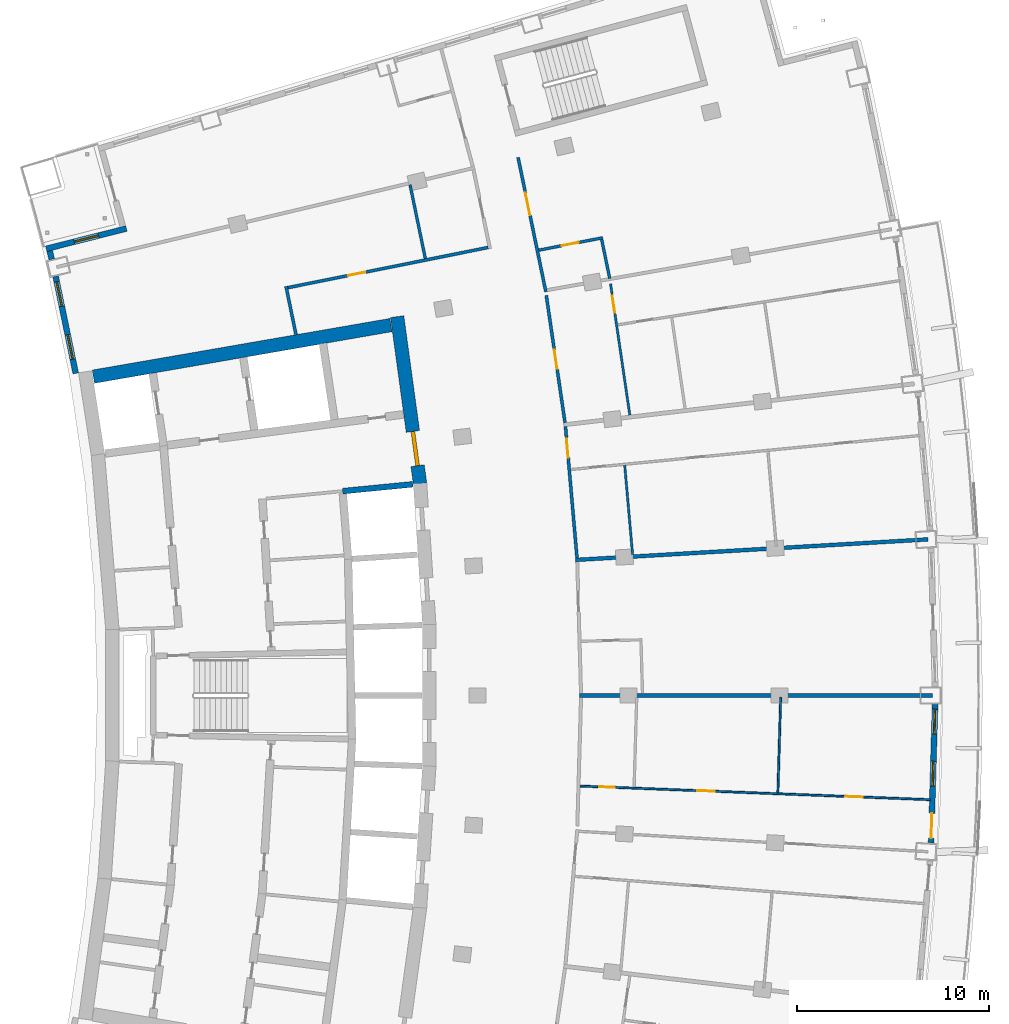
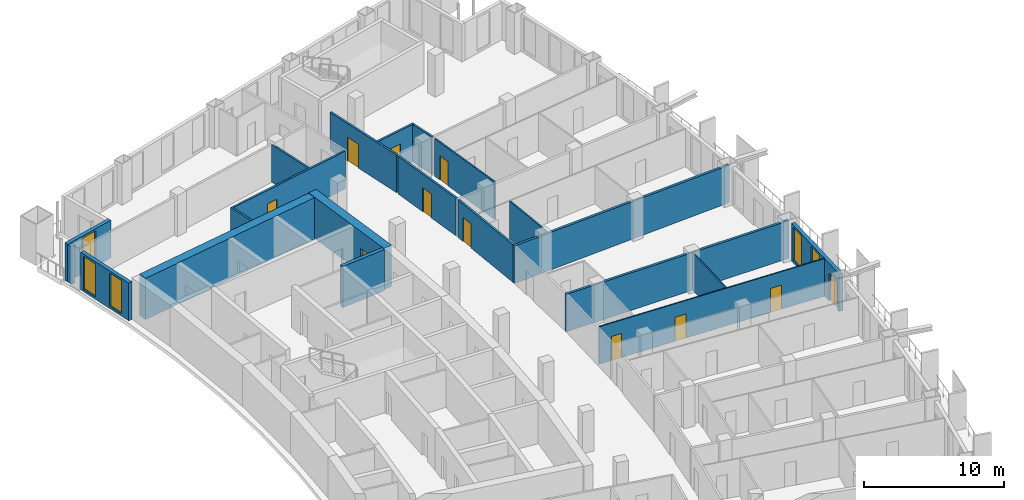
# One storey, part 14 of 20: 21 walls, 11 doors, 5 windows, 16 openings.
"""IFC4 building model written with IfcOpenShell, lengths in metres."""

from ifc_helpers import new_model, si_unit, direction, frame, frame_2d, origin, place, context, subcontext, project, spatial, rectangle, extrude, material, layer, layer_set, type_object, element, fill, save


model = new_model("IFC4")

# Units and contexts
model_context = context("Model", 3, precision=1e-05, world=origin(), true_north=direction((0.0, 1.0)))
body_context = subcontext(model_context, "Body", "Model", "MODEL_VIEW")
ifc_project = project(units=[si_unit("LENGTHUNIT", "METRE"), si_unit("AREAUNIT", "SQUARE_METRE"), si_unit("VOLUMEUNIT", "CUBIC_METRE"), si_unit("PLANEANGLEUNIT", "RADIAN"), si_unit("MASSUNIT", "GRAM", prefix="KILO")], contexts=[model_context])

# Site, building, storey
site_placement = place(None, origin())
site = spatial("IfcSite", under=ifc_project, at=site_placement, CompositionType="ELEMENT")
building_placement = place(site_placement, origin())
building = spatial("IfcBuilding", under=site, at=building_placement, Name="Alderwake Tower", CompositionType="ELEMENT")
storey_placement = place(building_placement, frame((0.0, 0.0, 164.0)))
storey = spatial("IfcBuildingStorey", under=building, at=storey_placement, Name="L40", CompositionType="ELEMENT", Elevation=164.0)

# Wall, opening, door
ifc_material_1 = material(Name="Concrete C70/85", Category="concrete")
ifc_layer_1 = layer(ifc_material_1, 0.699951171875)
ifc_layer_set_1 = layer_set([ifc_layer_1], Name="Core wall outer 700 C70-85")
wall_type_1 = type_object("IfcWallType", Name="Core wall outer 700 C70-85", PredefinedType="SHEAR", material=ifc_layer_set_1)
wall_1_placement = place(storey_placement, frame((31.618896484375, 80.735107421875, 0.0), z_axis=(0.0, 0.0, 1.0), x_axis=(0.135835706655, -0.99073137671, 0.0)))
wall_1 = element("IfcWall", 1, at=wall_1_placement, inside=storey, type_object=wall_type_1, Name="Core wall CW.009", PredefinedType="SHEAR", context=body_context, shape_type="SweptSolid", body=[
    extrude(rectangle(XDim=8.790771484375, YDim=0.699951171875, at=frame_2d((4.3955078125, 0.0))), origin(), (0.0, 0.0, 1.0), 3.60009765625),
])
opening_1_placement = place(wall_1_placement, frame((6.035888671875, 0.0, 0.0)))
opening_1 = element("IfcOpeningElement", 2, at=opening_1_placement, cuts=wall_1, Name="Opening C001", PredefinedType="OPENING", context=body_context, shape_type="SweptSolid", body=[
    extrude(rectangle(XDim=1.800048828125, YDim=2.10009765625, at=frame_2d((0.89990234375, 1.050048828125))), frame((0.0, 0.35986328125, 0.0), z_axis=(0.0, -1.0, 0.0), x_axis=(1.0, 0.0, 0.0)), (0.0, 0.0, 1.0), 0.719970703125),
])
ifc_material_2 = material(Name="Steel-framed fire door leaves", Category="steel")
door_type_1 = type_object("IfcDoorType", Name="Core double door 1800 fire-rated", OperationType="DOUBLE_DOOR_SINGLE_SWING", PredefinedType="DOOR", material=ifc_material_2)
door_1_placement = place(opening_1_placement, origin())
door_1 = element("IfcDoor", 3, at=door_1_placement, inside=storey, type_object=door_type_1, Name="Lobby double door", OperationType="DOUBLE_DOOR_SINGLE_SWING", OverallHeight=2.10009765625, OverallWidth=1.800048828125, PredefinedType="DOOR", context=body_context, shape_type="SweptSolid", body=[
    extrude(rectangle(XDim=1.800048828125, YDim=2.10009765625, at=frame_2d((0.89990234375, 1.050048828125))), frame((0.0, 0.10009765625, 0.0), z_axis=(0.0, -1.0, 0.0), x_axis=(1.0, 0.0, 0.0)), (0.0, 0.0, 1.0), 0.199951171875),
])
fill(opening_1, door_1)

# Walls
wall_2_placement = place(storey_placement, frame((15.79443359375, 77.606689453125, 0.0), z_axis=(0.0, 0.0, 1.0), x_axis=(0.985301369349, 0.170825090542, 0.0)))
element("IfcWall", 4, at=wall_2_placement, inside=storey, type_object=wall_type_1, Name="Core wall CW.055", PredefinedType="SHEAR", context=body_context, shape_type="SweptSolid", body=[
    extrude(rectangle(XDim=15.732421875, YDim=0.699951171875, at=frame_2d((7.8662109375, 0.0))), origin(), (0.0, 0.0, 1.0), 3.60009765625),
])
ifc_material_3 = material(Name="Concrete C70/85", Category="concrete")
ifc_layer_2 = layer(ifc_material_3, 0.300048828125)
ifc_layer_set_2 = layer_set([ifc_layer_2], Name="Core wall shaft 300 C70-85")
wall_type_2 = type_object("IfcWallType", Name="Core wall shaft 300 C70-85", PredefinedType="SHEAR", material=ifc_layer_set_2)
wall_3_placement = place(storey_placement, frame((28.780517578125, 71.644287109375, 0.0), z_axis=(0.0, 0.0, 1.0), x_axis=(0.995245736737, 0.097395705788, 0.0)))
element("IfcWall", 5, at=wall_3_placement, inside=storey, type_object=wall_type_2, Name="Core wall CW.049", PredefinedType="SHEAR", context=body_context, shape_type="SweptSolid", body=[
    extrude(rectangle(XDim=3.669677734375, YDim=0.300048828125, at=frame_2d((1.8349609375, 0.0))), origin(), (0.0, 0.0, 1.0), 3.60009765625),
])
ifc_material_4 = material(Name="Gypsum board on metal studs, rated")
ifc_layer_3 = layer(ifc_material_4, 0.159912109375)
ifc_layer_set_3 = layer_set([ifc_layer_3], Name="Corridor wall 160")
wall_type_3 = type_object("IfcWallType", Name="Corridor wall 160", PredefinedType="PARTITIONING", material=ifc_layer_set_3)
wall_4_placement = place(storey_placement, frame((25.831787109375, 82.305419921875, 0.0), z_axis=(0.0, 0.0, 1.0), x_axis=(0.202450797205, -0.979292435747, 0.0)))
element("IfcWall", 6, at=wall_4_placement, inside=storey, type_object=wall_type_3, Name="WL/L40/W14", PredefinedType="PARTITIONING", context=body_context, shape_type="SweptSolid", body=[
    extrude(rectangle(XDim=2.555419921875, YDim=0.159912109375, at=frame_2d((1.27783203125, 0.0))), origin(), (0.0, 0.0, 1.0), 3.280029296875),
])

# Wall, opening, door
wall_5_placement = place(storey_placement, frame((25.926513671875, 82.24267578125, 0.0), z_axis=(0.0, 0.0, 1.0), x_axis=(0.98046310274, 0.196703086316, 0.0)))
wall_5 = element("IfcWall", 7, at=wall_5_placement, inside=storey, type_object=wall_type_3, Name="WL/L40/W19", PredefinedType="PARTITIONING", context=body_context, shape_type="SweptSolid", body=[
    extrude(rectangle(XDim=10.637939453125, YDim=0.159912109375, at=frame_2d((5.31884765625, 0.0))), origin(), (0.0, 0.0, 1.0), 3.280029296875),
])
opening_2_placement = place(wall_5_placement, frame((3.208984375, 0.0, 0.0)))
opening_2 = element("IfcOpeningElement", 8, at=opening_2_placement, cuts=wall_5, Name="Opening R11-SBN1", PredefinedType="OPENING", context=body_context, shape_type="SweptSolid", body=[
    extrude(rectangle(XDim=0.89990234375, YDim=2.10009765625, at=frame_2d((0.449951171875, 1.050048828125))), frame((0.0, 0.08984375, 0.0), z_axis=(0.0, -1.0, 0.0), x_axis=(1.0, 0.0, 0.0)), (0.0, 0.0, 1.0), 0.179931640625),
])
ifc_material_5 = material(Name="Painted timber leaf", Category="wood")
door_type_2 = type_object("IfcDoorType", Name="Room door 900", OperationType="SINGLE_SWING_LEFT", PredefinedType="DOOR", material=ifc_material_5)
door_2_placement = place(opening_2_placement, origin())
door_2 = element("IfcDoor", 9, at=door_2_placement, inside=storey, type_object=door_type_2, Name="DR/L40/SBN1", OperationType="SINGLE_SWING_LEFT", OverallHeight=2.10009765625, OverallWidth=0.89990234375, PredefinedType="DOOR", context=body_context, shape_type="SweptSolid", body=[
    extrude(rectangle(XDim=0.89990234375, YDim=2.10009765625, at=frame_2d((0.449951171875, 1.050048828125))), frame((0.0, 0.02490234375, 0.0), z_axis=(0.0, -1.0, 0.0), x_axis=(1.0, 0.0, 0.0)), (0.0, 0.0, 1.0), 0.050048828125),
])
fill(opening_2, door_2)

wall_6_placement = place(storey_placement, frame((37.9169921875, 89.02490234375, 0.0), z_axis=(0.0, 0.0, 1.0), x_axis=(0.202409142021, -0.979301046271, 0.0)))
wall_6 = element("IfcWall", 10, at=wall_6_placement, inside=storey, type_object=wall_type_3, Name="WL/L40/W22", PredefinedType="PARTITIONING", context=body_context, shape_type="SweptSolid", body=[
    extrude(rectangle(XDim=7.150146484375, YDim=0.159912109375, at=frame_2d((3.5751953125, 0.0))), origin(), (0.0, 0.0, 1.0), 3.280029296875),
])
opening_3_placement = place(wall_6_placement, frame((1.874755859375, 0.0, 0.0)))
opening_3 = element("IfcOpeningElement", 11, at=opening_3_placement, cuts=wall_6, Name="Opening R11-AM1.1", PredefinedType="OPENING", context=body_context, shape_type="SweptSolid", body=[
    extrude(rectangle(XDim=1.199951171875, YDim=2.10009765625, at=frame_2d((0.60009765625, 1.050048828125))), frame((0.0, 0.08984375, 0.0), z_axis=(0.0, -1.0, 0.0), x_axis=(1.0, 0.0, 0.0)), (0.0, 0.0, 1.0), 0.179931640625),
])
ifc_material_6 = material(Name="Steel-framed fire door leaf", Category="steel")
door_type_3 = type_object("IfcDoorType", Name="Lobby door 1200 fire-rated", OperationType="SINGLE_SWING_LEFT", PredefinedType="DOOR", material=ifc_material_6)
door_3_placement = place(opening_3_placement, origin())
door_3 = element("IfcDoor", 12, at=door_3_placement, inside=storey, type_object=door_type_3, Name="DR/L40/AM1.1", OperationType="SINGLE_SWING_LEFT", OverallHeight=2.10009765625, OverallWidth=1.199951171875, PredefinedType="DOOR", context=body_context, shape_type="SweptSolid", body=[
    extrude(rectangle(XDim=1.199951171875, YDim=2.10009765625, at=frame_2d((0.60009765625, 1.050048828125))), frame((0.0, 0.02490234375, 0.0), z_axis=(0.0, -1.0, 0.0), x_axis=(1.0, 0.0, 0.0)), (0.0, 0.0, 1.0), 0.050048828125),
])
fill(opening_3, door_3)

wall_7_placement = place(storey_placement, frame((39.38671875, 81.837158203125, 0.0), z_axis=(0.0, 0.0, 1.0), x_axis=(0.145576845789, -0.989346947218, 0.0)))
wall_7 = element("IfcWall", 13, at=wall_7_placement, inside=storey, type_object=wall_type_3, Name="WL/L40/W24", PredefinedType="PARTITIONING", context=body_context, shape_type="SweptSolid", body=[
    extrude(rectangle(XDim=6.701416015625, YDim=0.159912109375, at=frame_2d((3.3505859375, 0.0))), origin(), (0.0, 0.0, 1.0), 3.280029296875),
])
opening_4_placement = place(wall_7_placement, frame((2.850830078125, 0.0, 0.0)))
opening_4 = element("IfcOpeningElement", 14, at=opening_4_placement, cuts=wall_7, Name="Opening R11-U08.2", PredefinedType="OPENING", context=body_context, shape_type="SweptSolid", body=[
    extrude(rectangle(XDim=1.0, YDim=2.10009765625, at=frame_2d((0.5, 1.050048828125))), frame((0.0, 0.08984375, 0.0), z_axis=(0.0, -1.0, 0.0), x_axis=(1.0, 0.0, 0.0)), (0.0, 0.0, 1.0), 0.179931640625),
])
ifc_material_7 = material(Name="Solid timber leaf in steel frame", Category="steel")
door_type_4 = type_object("IfcDoorType", Name="Flat entrance door 1000 fire-rated", OperationType="SINGLE_SWING_LEFT", PredefinedType="DOOR", material=ifc_material_7)
door_4_placement = place(opening_4_placement, origin())
door_4 = element("IfcDoor", 15, at=door_4_placement, inside=storey, type_object=door_type_4, Name="DR/L40/U08.2", OperationType="SINGLE_SWING_LEFT", OverallHeight=2.10009765625, OverallWidth=1.0, PredefinedType="DOOR", context=body_context, shape_type="SweptSolid", body=[
    extrude(rectangle(XDim=1.0, YDim=2.10009765625, at=frame_2d((0.5, 1.050048828125))), frame((0.0, 0.02490234375, 0.0), z_axis=(0.0, -1.0, 0.0), x_axis=(1.0, 0.0, 0.0)), (0.0, 0.0, 1.0), 0.050048828125),
])
fill(opening_4, door_4)

wall_8_placement = place(storey_placement, frame((40.3857421875, 75.00830078125, 0.0), z_axis=(0.0, 0.0, 1.0), x_axis=(0.087448731147, -0.996169021512, 0.0)))
wall_8 = element("IfcWall", 16, at=wall_8_placement, inside=storey, type_object=wall_type_3, Name="WL/L40/W26", PredefinedType="PARTITIONING", context=body_context, shape_type="SweptSolid", body=[
    extrude(rectangle(XDim=6.867919921875, YDim=0.159912109375, at=frame_2d((3.43408203125, 0.0))), origin(), (0.0, 0.0, 1.0), 3.280029296875),
])
opening_5_placement = place(wall_8_placement, frame((0.628173828125, 0.0, 0.0)))
opening_5 = element("IfcOpeningElement", 17, at=opening_5_placement, cuts=wall_8, Name="Opening R11-U07.2", PredefinedType="OPENING", context=body_context, shape_type="SweptSolid", body=[
    extrude(rectangle(XDim=1.0, YDim=2.10009765625, at=frame_2d((0.5, 1.050048828125))), frame((0.0, 0.08984375, 0.0), z_axis=(0.0, -1.0, 0.0), x_axis=(1.0, 0.0, 0.0)), (0.0, 0.0, 1.0), 0.179931640625),
])
door_5_placement = place(opening_5_placement, origin())
door_5 = element("IfcDoor", 18, at=door_5_placement, inside=storey, type_object=door_type_4, Name="DR/L40/U07.2", OperationType="SINGLE_SWING_LEFT", OverallHeight=2.10009765625, OverallWidth=1.0, PredefinedType="DOOR", context=body_context, shape_type="SweptSolid", body=[
    extrude(rectangle(XDim=1.0, YDim=2.10009765625, at=frame_2d((0.5, 1.050048828125))), frame((0.0, 0.02490234375, 0.0), z_axis=(0.0, -1.0, 0.0), x_axis=(1.0, 0.0, 0.0)), (0.0, 0.0, 1.0), 0.050048828125),
])
fill(opening_5, door_5)

# Wall, openings, door, windows
ifc_material_8 = material(Name="Precast concrete C50/60 spandrel panel", Category="concrete")
ifc_layer_4 = layer(ifc_material_8, 0.300048828125)
ifc_layer_set_4 = layer_set([ifc_layer_4], Name="External wall EW1 Precast concrete C50/60 spandrel")
wall_type_4 = type_object("IfcWallType", Name="External wall EW1 Precast concrete C50/60 spandrel", PredefinedType="SOLIDWALL", material=ifc_layer_set_4)
wall_9_placement = place(storey_placement, frame((59.42626953125, 53.331298828125, 0.0), z_axis=(0.0, 0.0, 1.0), x_axis=(0.029165845971, 0.999574586226, 0.0)))
wall_9 = element("IfcWall", 19, at=wall_9_placement, inside=storey, type_object=wall_type_4, Name="External wall 15", PredefinedType="SOLIDWALL", context=body_context, shape_type="SweptSolid", body=[
    extrude(rectangle(XDim=7.198974609375, YDim=0.300048828125, at=frame_2d((3.599609375, 0.0))), origin(), (0.0, 0.0, 1.0), 3.280029296875),
])
opening_6_placement = place(wall_9_placement, frame((0.2392578125, 0.0, 0.0)))
opening_6 = element("IfcOpeningElement", 20, at=opening_6_placement, cuts=wall_9, Name="Opening D05", PredefinedType="OPENING", context=body_context, shape_type="SweptSolid", body=[
    extrude(rectangle(XDim=1.300048828125, YDim=2.39990234375, at=frame_2d((0.64990234375, 1.199951171875))), frame((0.0, 0.159912109375, 0.0), z_axis=(0.0, -1.0, 0.0), x_axis=(1.0, 0.0, 0.0)), (0.0, 0.0, 1.0), 0.320068359375),
])
opening_7_placement = place(wall_9_placement, frame((2.949462890625, 0.0, 0.199951171875)))
opening_7 = element("IfcOpeningElement", 21, at=opening_7_placement, cuts=wall_9, Name="Opening W1", PredefinedType="OPENING", context=body_context, shape_type="SweptSolid", body=[
    extrude(rectangle(XDim=1.300048828125, YDim=2.89990234375, at=frame_2d((0.64990234375, 1.449951171875))), frame((0.0, 0.159912109375, 0.0), z_axis=(0.0, -1.0, 0.0), x_axis=(1.0, 0.0, 0.0)), (0.0, 0.0, 1.0), 0.320068359375),
])
opening_8_placement = place(wall_9_placement, frame((5.65966796875, 0.0, 0.199951171875)))
opening_8 = element("IfcOpeningElement", 22, at=opening_8_placement, cuts=wall_9, Name="Opening W1", PredefinedType="OPENING", context=body_context, shape_type="SweptSolid", body=[
    extrude(rectangle(XDim=1.300048828125, YDim=2.89990234375, at=frame_2d((0.64990234375, 1.449951171875))), frame((0.0, 0.159912109375, 0.0), z_axis=(0.0, -1.0, 0.0), x_axis=(1.0, 0.0, 0.0)), (0.0, 0.0, 1.0), 0.320068359375),
])
ifc_material_9 = material(Name="Bronze tinted glass in aluminium frame", Category="aluminium")
door_type_5 = type_object("IfcDoorType", Name="Balcony door BD sliding", OperationType="SLIDING_TO_LEFT", PredefinedType="DOOR", material=ifc_material_9)
door_6_placement = place(opening_6_placement, origin())
door_6 = element("IfcDoor", 23, at=door_6_placement, inside=storey, type_object=door_type_5, Name="Door D05", OperationType="SLIDING_TO_LEFT", OverallHeight=2.39990234375, OverallWidth=1.300048828125, PredefinedType="DOOR", context=body_context, shape_type="SweptSolid", body=[
    extrude(rectangle(XDim=1.300048828125, YDim=2.39990234375, at=frame_2d((0.64990234375, 1.199951171875))), frame((0.0, 0.02490234375, 0.0), z_axis=(0.0, -1.0, 0.0), x_axis=(1.0, 0.0, 0.0)), (0.0, 0.0, 1.0), 0.050048828125),
])
fill(opening_6, door_6)
ifc_material_10 = material(Name="Bronze tinted glass in aluminium frame", Category="aluminium")
window_type = type_object("IfcWindowType", Name="Window W1 tall fixed and vent", PartitioningType="DOUBLE_PANEL_VERTICAL", PredefinedType="WINDOW", material=ifc_material_10)
window_1_placement = place(opening_7_placement, origin())
window_1 = element("IfcWindow", 24, at=window_1_placement, inside=storey, type_object=window_type, Name="Window W1 tall fixed and vent", OverallHeight=2.89990234375, OverallWidth=1.300048828125, PartitioningType="DOUBLE_PANEL_VERTICAL", PredefinedType="WINDOW", context=body_context, shape_type="SweptSolid", body=[
    extrude(rectangle(XDim=1.300048828125, YDim=2.89990234375, at=frame_2d((0.64990234375, 1.449951171875))), frame((0.0, 0.030029296875, 0.0), z_axis=(0.0, -1.0, 0.0), x_axis=(1.0, 0.0, 0.0)), (0.0, 0.0, 1.0), 0.06005859375),
])
fill(opening_7, window_1)
window_2_placement = place(opening_8_placement, origin())
window_2 = element("IfcWindow", 25, at=window_2_placement, inside=storey, type_object=window_type, Name="Window W1 tall fixed and vent", OverallHeight=2.89990234375, OverallWidth=1.300048828125, PartitioningType="DOUBLE_PANEL_VERTICAL", PredefinedType="WINDOW", context=body_context, shape_type="SweptSolid", body=[
    extrude(rectangle(XDim=1.300048828125, YDim=2.89990234375, at=frame_2d((0.64990234375, 1.449951171875))), frame((0.0, 0.030029296875, 0.0), z_axis=(0.0, -1.0, 0.0), x_axis=(1.0, 0.0, 0.0)), (0.0, 0.0, 1.0), 0.06005859375),
])
fill(opening_8, window_2)

# Wall
wall_10_placement = place(storey_placement, frame((13.523193359375, 84.1572265625, 0.0), z_axis=(0.0, 0.0, 1.0), x_axis=(0.238729806706, -0.97108603089, 0.0)))
element("IfcWall", 26, at=wall_10_placement, inside=storey, type_object=wall_type_4, Name="External wall 30", PredefinedType="SOLIDWALL", context=body_context, shape_type="SweptSolid", body=[
    extrude(rectangle(XDim=0.453125, YDim=0.300048828125, at=frame_2d((0.2265625, 0.0))), origin(), (0.0, 0.0, 1.0), 3.280029296875),
])

# Wall, openings, windows
wall_11_placement = place(storey_placement, frame((13.83203125, 82.8291015625, 0.0), z_axis=(0.0, 0.0, 1.0), x_axis=(0.202754243564, -0.979229654737, 0.0)))
wall_11 = element("IfcWall", 27, at=wall_11_placement, inside=storey, type_object=wall_type_4, Name="External wall 31", PredefinedType="SOLIDWALL", context=body_context, shape_type="SweptSolid", body=[
    extrude(rectangle(XDim=5.15966796875, YDim=0.300048828125, at=frame_2d((2.579833984375, 0.0))), origin(), (0.0, 0.0, 1.0), 3.280029296875),
])
opening_9_placement = place(wall_11_placement, frame((0.29052734375, 0.0, 0.199951171875)))
opening_9 = element("IfcOpeningElement", 28, at=opening_9_placement, cuts=wall_11, Name="Opening W1", PredefinedType="OPENING", context=body_context, shape_type="SweptSolid", body=[
    extrude(rectangle(XDim=1.300048828125, YDim=2.89990234375, at=frame_2d((0.64990234375, 1.449951171875))), frame((0.0, 0.159912109375, 0.0), z_axis=(0.0, -1.0, 0.0), x_axis=(1.0, 0.0, 0.0)), (0.0, 0.0, 1.0), 0.320068359375),
])
opening_10_placement = place(wall_11_placement, frame((3.103271484375, 0.0, 0.199951171875)))
opening_10 = element("IfcOpeningElement", 29, at=opening_10_placement, cuts=wall_11, Name="Opening W1", PredefinedType="OPENING", context=body_context, shape_type="SweptSolid", body=[
    extrude(rectangle(XDim=1.300048828125, YDim=2.89990234375, at=frame_2d((0.64990234375, 1.449951171875))), frame((0.0, 0.159912109375, 0.0), z_axis=(0.0, -1.0, 0.0), x_axis=(1.0, 0.0, 0.0)), (0.0, 0.0, 1.0), 0.320068359375),
])
window_3_placement = place(opening_9_placement, origin())
window_3 = element("IfcWindow", 30, at=window_3_placement, inside=storey, type_object=window_type, Name="Window W1 tall fixed and vent", OverallHeight=2.89990234375, OverallWidth=1.300048828125, PartitioningType="DOUBLE_PANEL_VERTICAL", PredefinedType="WINDOW", context=body_context, shape_type="SweptSolid", body=[
    extrude(rectangle(XDim=1.300048828125, YDim=2.89990234375, at=frame_2d((0.64990234375, 1.449951171875))), frame((0.0, 0.030029296875, 0.0), z_axis=(0.0, -1.0, 0.0), x_axis=(1.0, 0.0, 0.0)), (0.0, 0.0, 1.0), 0.06005859375),
])
fill(opening_9, window_3)
window_4_placement = place(opening_10_placement, origin())
window_4 = element("IfcWindow", 31, at=window_4_placement, inside=storey, type_object=window_type, Name="Window W1 tall fixed and vent", OverallHeight=2.89990234375, OverallWidth=1.300048828125, PartitioningType="DOUBLE_PANEL_VERTICAL", PredefinedType="WINDOW", context=body_context, shape_type="SweptSolid", body=[
    extrude(rectangle(XDim=1.300048828125, YDim=2.89990234375, at=frame_2d((0.64990234375, 1.449951171875))), frame((0.0, 0.030029296875, 0.0), z_axis=(0.0, -1.0, 0.0), x_axis=(1.0, 0.0, 0.0)), (0.0, 0.0, 1.0), 0.06005859375),
])
fill(opening_10, window_4)

# Wall, opening, window
ifc_material_11 = material(Name="Bronze metal cladding on lightweight framing")
ifc_layer_5 = layer(ifc_material_11, 0.300048828125)
ifc_layer_set_5 = layer_set([ifc_layer_5], Name="External wall EW2 bronze metal cladding")
wall_type_5 = type_object("IfcWallType", Name="External wall EW2 bronze metal cladding", PredefinedType="SOLIDWALL", material=ifc_layer_set_5)
wall_12_placement = place(storey_placement, frame((17.51611328125, 85.32275390625, 0.0), z_axis=(0.0, 0.0, 1.0), x_axis=(-0.969417740682, -0.245416470617, 0.0)))
wall_12 = element("IfcWall", 32, at=wall_12_placement, inside=storey, type_object=wall_type_5, Name="External wall 29", PredefinedType="SOLIDWALL", context=body_context, shape_type="SweptSolid", body=[
    extrude(rectangle(XDim=4.305419921875, YDim=0.300048828125, at=frame_2d((2.15283203125, 0.0))), origin(), (0.0, 0.0, 1.0), 3.280029296875),
])
opening_11_placement = place(wall_12_placement, frame((1.502685546875, 0.0, 0.199951171875)))
opening_11 = element("IfcOpeningElement", 33, at=opening_11_placement, cuts=wall_12, Name="Opening W1", PredefinedType="OPENING", context=body_context, shape_type="SweptSolid", body=[
    extrude(rectangle(XDim=1.300048828125, YDim=2.89990234375, at=frame_2d((0.64990234375, 1.449951171875))), frame((0.0, 0.159912109375, 0.0), z_axis=(0.0, -1.0, 0.0), x_axis=(1.0, 0.0, 0.0)), (0.0, 0.0, 1.0), 0.320068359375),
])
window_5_placement = place(opening_11_placement, origin())
window_5 = element("IfcWindow", 34, at=window_5_placement, inside=storey, type_object=window_type, Name="Window W1 tall fixed and vent", OverallHeight=2.89990234375, OverallWidth=1.300048828125, PartitioningType="DOUBLE_PANEL_VERTICAL", PredefinedType="WINDOW", context=body_context, shape_type="SweptSolid", body=[
    extrude(rectangle(XDim=1.300048828125, YDim=2.89990234375, at=frame_2d((0.64990234375, 1.449951171875))), frame((0.0, 0.030029296875, 0.0), z_axis=(0.0, -1.0, 0.0), x_axis=(1.0, 0.0, 0.0)), (0.0, 0.0, 1.0), 0.06005859375),
])
fill(opening_11, window_5)

# Walls
ifc_material_12 = material(Name="Dense block masonry wall", Category="masonry")
ifc_layer_6 = layer(ifc_material_12, 0.199951171875)
ifc_layer_set_6 = layer_set([ifc_layer_6], Name="Party wall 200")
wall_type_6 = type_object("IfcWallType", Name="Party wall 200", PredefinedType="SOLIDWALL", material=ifc_layer_set_6)
wall_13_placement = place(storey_placement, frame((59.261962890625, 69.132080078125, 0.0), z_axis=(0.0, 0.0, 1.0), x_axis=(-0.99830424713, -0.058211941755, 0.0)))
element("IfcWall", 35, at=wall_13_placement, inside=storey, type_object=wall_type_6, Name="WL/L40/W04", PredefinedType="SOLIDWALL", context=body_context, shape_type="SweptSolid", body=[
    extrude(rectangle(XDim=18.378173828125, YDim=0.199951171875, at=frame_2d((9.18896484375, 0.0))), origin(), (0.0, 0.0, 1.0), 3.280029296875),
])
wall_14_placement = place(storey_placement, frame((59.4990234375, 60.9990234375, 0.0), z_axis=(0.0, 0.0, 1.0), x_axis=(-1.0, 0.0, 0.0)))
element("IfcWall", 36, at=wall_14_placement, inside=storey, type_object=wall_type_6, Name="WL/L40/W05", PredefinedType="SOLIDWALL", context=body_context, shape_type="SweptSolid", body=[
    extrude(rectangle(XDim=18.380126953125, YDim=0.199951171875, at=frame_2d((9.18994140625, 0.0))), origin(), (0.0, 0.0, 1.0), 3.280029296875),
])
ifc_material_13 = material(Name="Gypsum shaft wall system, rated")
ifc_layer_7 = layer(ifc_material_13, 0.14990234375)
ifc_layer_set_7 = layer_set([ifc_layer_7], Name="Riser and shaft wall 150")
wall_type_7 = type_object("IfcWallType", Name="Riser and shaft wall 150", PredefinedType="PARTITIONING", material=ifc_layer_set_7)
wall_15_placement = place(storey_placement, frame((33.085693359375, 83.76025390625, 0.0), z_axis=(0.0, 0.0, 1.0), x_axis=(-0.2025562632, 0.97927062666, 0.0)))
element("IfcWall", 37, at=wall_15_placement, inside=storey, type_object=wall_type_7, Name="WL/L40/W07", PredefinedType="PARTITIONING", context=body_context, shape_type="SweptSolid", body=[
    extrude(rectangle(XDim=3.9267578125, YDim=0.14990234375, at=frame_2d((1.96337890625, 0.0))), origin(), (0.0, 0.0, 1.0), 3.280029296875),
])

# Wall, opening, door
wall_16_placement = place(storey_placement, frame((42.32861328125, 84.84228515625, 0.0), z_axis=(0.0, 0.0, 1.0), x_axis=(-0.981655808185, -0.190661674853, 0.0)))
wall_16 = element("IfcWall", 38, at=wall_16_placement, inside=storey, type_object=wall_type_7, Name="WL/L40/W08", PredefinedType="PARTITIONING", context=body_context, shape_type="SweptSolid", body=[
    extrude(rectangle(XDim=3.393310546875, YDim=0.14990234375, at=frame_2d((1.69677734375, 0.0))), origin(), (0.0, 0.0, 1.0), 3.280029296875),
])
opening_12_placement = place(wall_16_placement, frame((1.2841796875, 0.0, 0.0)))
opening_12 = element("IfcOpeningElement", 39, at=opening_12_placement, cuts=wall_16, Name="Opening R11-AM1.2", PredefinedType="OPENING", context=body_context, shape_type="SweptSolid", body=[
    extrude(rectangle(XDim=0.89990234375, YDim=2.10009765625, at=frame_2d((0.449951171875, 1.050048828125))), frame((0.0, 0.0849609375, 0.0), z_axis=(0.0, -1.0, 0.0), x_axis=(1.0, 0.0, 0.0)), (0.0, 0.0, 1.0), 0.169921875),
])
door_7_placement = place(opening_12_placement, origin())
door_7 = element("IfcDoor", 40, at=door_7_placement, inside=storey, type_object=door_type_2, Name="DR/L40/AM1.2", OperationType="SINGLE_SWING_LEFT", OverallHeight=2.10009765625, OverallWidth=0.89990234375, PredefinedType="DOOR", context=body_context, shape_type="SweptSolid", body=[
    extrude(rectangle(XDim=0.89990234375, YDim=2.10009765625, at=frame_2d((0.449951171875, 1.050048828125))), frame((0.0, 0.02490234375, 0.0), z_axis=(0.0, -1.0, 0.0), x_axis=(1.0, 0.0, 0.0)), (0.0, 0.0, 1.0), 0.050048828125),
])
fill(opening_12, door_7)

# Wall
wall_17_placement = place(storey_placement, frame((42.69189453125, 82.714599609375, 0.0), z_axis=(0.0, 0.0, 1.0), x_axis=(-0.202423435623, 0.979298091855, 0.0)))
element("IfcWall", 41, at=wall_17_placement, inside=storey, type_object=wall_type_7, Name="WL/L40/W09", PredefinedType="PARTITIONING", context=body_context, shape_type="SweptSolid", body=[
    extrude(rectangle(XDim=2.0830078125, YDim=0.14990234375, at=frame_2d((1.04150390625, 0.0))), origin(), (0.0, 0.0, 1.0), 3.280029296875),
])

# Wall, openings, doors
ifc_material_14 = material(Name="Gypsum board on metal studs")
ifc_layer_8 = layer(ifc_material_14, 0.10009765625)
ifc_layer_set_8 = layer_set([ifc_layer_8], Name="Unit partition 100")
wall_type_8 = type_object("IfcWallType", Name="Unit partition 100", PredefinedType="PARTITIONING", material=ifc_layer_set_8)
wall_18_placement = place(storey_placement, frame((41.143798828125, 56.285888671875, 0.0), z_axis=(0.0, 0.0, 1.0), x_axis=(0.999241874954, -0.03893167525, 0.0)))
wall_18 = element("IfcWall", 42, at=wall_18_placement, inside=storey, type_object=wall_type_8, Name="WL/L40/W46", PredefinedType="PARTITIONING", context=body_context, shape_type="SweptSolid", body=[
    extrude(rectangle(XDim=18.26123046875, YDim=0.10009765625, at=frame_2d((9.130615234375, 0.0))), origin(), (0.0, 0.0, 1.0), 3.280029296875),
])
opening_13_placement = place(wall_18_placement, frame((6.1142578125, 0.0, 0.0)))
opening_13 = element("IfcOpeningElement", 43, at=opening_13_placement, cuts=wall_18, Name="Opening R11-U05.5", PredefinedType="OPENING", context=body_context, shape_type="SweptSolid", body=[
    extrude(rectangle(XDim=0.89990234375, YDim=2.10009765625, at=frame_2d((0.449951171875, 1.050048828125))), frame((0.0, 0.06005859375, 0.0), z_axis=(0.0, -1.0, 0.0), x_axis=(1.0, 0.0, 0.0)), (0.0, 0.0, 1.0), 0.1201171875),
])
opening_14_placement = place(wall_18_placement, frame((1.0087890625, 0.0, 0.0)))
opening_14 = element("IfcOpeningElement", 44, at=opening_14_placement, cuts=wall_18, Name="Opening R11-U05.6", PredefinedType="OPENING", context=body_context, shape_type="SweptSolid", body=[
    extrude(rectangle(XDim=0.800048828125, YDim=2.10009765625, at=frame_2d((0.39990234375, 1.050048828125))), frame((0.0, 0.06005859375, 0.0), z_axis=(0.0, -1.0, 0.0), x_axis=(1.0, 0.0, 0.0)), (0.0, 0.0, 1.0), 0.1201171875),
])
opening_15_placement = place(wall_18_placement, frame((13.8359375, 0.0, 0.0)))
opening_15 = element("IfcOpeningElement", 45, at=opening_15_placement, cuts=wall_18, Name="Opening R11-U05.7", PredefinedType="OPENING", context=body_context, shape_type="SweptSolid", body=[
    extrude(rectangle(XDim=0.89990234375, YDim=2.10009765625, at=frame_2d((0.449951171875, 1.050048828125))), frame((0.0, 0.06005859375, 0.0), z_axis=(0.0, -1.0, 0.0), x_axis=(1.0, 0.0, 0.0)), (0.0, 0.0, 1.0), 0.1201171875),
])
ifc_material_15 = material(Name="Painted timber leaf", Category="wood")
door_type_6 = type_object("IfcDoorType", Name="Bathroom door 800", OperationType="SINGLE_SWING_LEFT", PredefinedType="DOOR", material=ifc_material_15)
door_8_placement = place(opening_14_placement, origin())
door_8 = element("IfcDoor", 46, at=door_8_placement, inside=storey, type_object=door_type_6, Name="DR/L40/U05.6", OperationType="SINGLE_SWING_LEFT", OverallHeight=2.10009765625, OverallWidth=0.800048828125, PredefinedType="DOOR", context=body_context, shape_type="SweptSolid", body=[
    extrude(rectangle(XDim=0.800048828125, YDim=2.10009765625, at=frame_2d((0.39990234375, 1.050048828125))), frame((0.0, 0.02490234375, 0.0), z_axis=(0.0, -1.0, 0.0), x_axis=(1.0, 0.0, 0.0)), (0.0, 0.0, 1.0), 0.050048828125),
])
fill(opening_14, door_8)
door_9_placement = place(opening_13_placement, origin())
door_9 = element("IfcDoor", 47, at=door_9_placement, inside=storey, type_object=door_type_2, Name="DR/L40/U05.5", OperationType="SINGLE_SWING_LEFT", OverallHeight=2.10009765625, OverallWidth=0.89990234375, PredefinedType="DOOR", context=body_context, shape_type="SweptSolid", body=[
    extrude(rectangle(XDim=0.89990234375, YDim=2.10009765625, at=frame_2d((0.449951171875, 1.050048828125))), frame((0.0, 0.02490234375, 0.0), z_axis=(0.0, -1.0, 0.0), x_axis=(1.0, 0.0, 0.0)), (0.0, 0.0, 1.0), 0.050048828125),
])
fill(opening_13, door_9)
door_10_placement = place(opening_15_placement, origin())
door_10 = element("IfcDoor", 48, at=door_10_placement, inside=storey, type_object=door_type_2, Name="DR/L40/U05.7", OperationType="SINGLE_SWING_LEFT", OverallHeight=2.10009765625, OverallWidth=0.89990234375, PredefinedType="DOOR", context=body_context, shape_type="SweptSolid", body=[
    extrude(rectangle(XDim=0.89990234375, YDim=2.10009765625, at=frame_2d((0.449951171875, 1.050048828125))), frame((0.0, 0.02490234375, 0.0), z_axis=(0.0, -1.0, 0.0), x_axis=(1.0, 0.0, 0.0)), (0.0, 0.0, 1.0), 0.050048828125),
])
fill(opening_15, door_10)

# Wall
wall_19_placement = place(storey_placement, frame((51.448486328125, 55.93408203125, 0.0), z_axis=(0.0, 0.0, 1.0), x_axis=(0.02929505318, 0.999570807827, 0.0)))
element("IfcWall", 49, at=wall_19_placement, inside=storey, type_object=wall_type_8, Name="WL/L40/W53", PredefinedType="PARTITIONING", context=body_context, shape_type="SweptSolid", body=[
    extrude(rectangle(XDim=4.967041015625, YDim=0.10009765625, at=frame_2d((2.4833984375, 0.0))), origin(), (0.0, 0.0, 1.0), 3.280029296875),
])

# Wall, opening, door
ifc_material_16 = material(Name="Moisture resistant gypsum board on metal studs")
ifc_layer_9 = layer(ifc_material_16, 0.1201171875)
ifc_layer_set_9 = layer_set([ifc_layer_9], Name="Wet room partition 120")
wall_type_9 = type_object("IfcWallType", Name="Wet room partition 120", PredefinedType="PARTITIONING", material=ifc_layer_set_9)
wall_20_placement = place(storey_placement, frame((42.732421875, 82.44775390625, 0.0), z_axis=(0.0, 0.0, 1.0), x_axis=(0.14528876176, -0.989389294316, 0.0)))
wall_20 = element("IfcWall", 50, at=wall_20_placement, inside=storey, type_object=wall_type_9, Name="WL/L40/W35", PredefinedType="PARTITIONING", context=body_context, shape_type="SweptSolid", body=[
    extrude(rectangle(XDim=6.918212890625, YDim=0.1201171875, at=frame_2d((3.458984375, 0.0))), origin(), (0.0, 0.0, 1.0), 3.280029296875),
])
opening_16_placement = place(wall_20_placement, frame((0.63671875, 0.0, 0.0)))
opening_16 = element("IfcOpeningElement", 51, at=opening_16_placement, cuts=wall_20, Name="Opening R11-U08.3", PredefinedType="OPENING", context=body_context, shape_type="SweptSolid", body=[
    extrude(rectangle(XDim=0.89990234375, YDim=2.10009765625, at=frame_2d((0.449951171875, 1.050048828125))), frame((0.0, 0.070068359375, 0.0), z_axis=(0.0, -1.0, 0.0), x_axis=(1.0, 0.0, 0.0)), (0.0, 0.0, 1.0), 0.14013671875),
])
door_11_placement = place(opening_16_placement, origin())
door_11 = element("IfcDoor", 52, at=door_11_placement, inside=storey, type_object=door_type_2, Name="DR/L40/U08.3", OperationType="SINGLE_SWING_LEFT", OverallHeight=2.10009765625, OverallWidth=0.89990234375, PredefinedType="DOOR", context=body_context, shape_type="SweptSolid", body=[
    extrude(rectangle(XDim=0.89990234375, YDim=2.10009765625, at=frame_2d((0.449951171875, 1.050048828125))), frame((0.0, 0.02490234375, 0.0), z_axis=(0.0, -1.0, 0.0), x_axis=(1.0, 0.0, 0.0)), (0.0, 0.0, 1.0), 0.050048828125),
])
fill(opening_16, door_11)

# Wall
wall_21_placement = place(storey_placement, frame((43.881103515625, 68.334716796875, 0.0), z_axis=(0.0, 0.0, 1.0), x_axis=(-0.087639255618, 0.996152277955, 0.0)))
element("IfcWall", 53, at=wall_21_placement, inside=storey, type_object=wall_type_9, Name="WL/L40/W37", PredefinedType="PARTITIONING", context=body_context, shape_type="SweptSolid", body=[
    extrude(rectangle(XDim=4.674560546875, YDim=0.1201171875, at=frame_2d((2.33740234375, 0.0))), origin(), (0.0, 0.0, 1.0), 3.280029296875),
])

save(model, "model.ifc")
